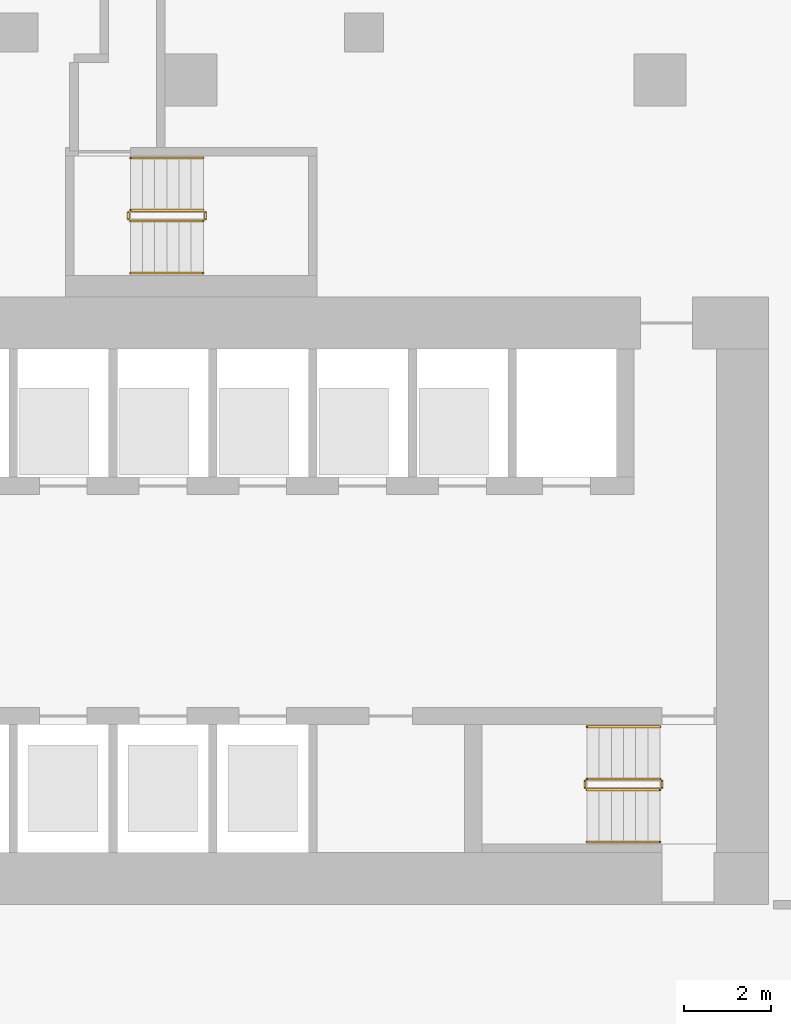
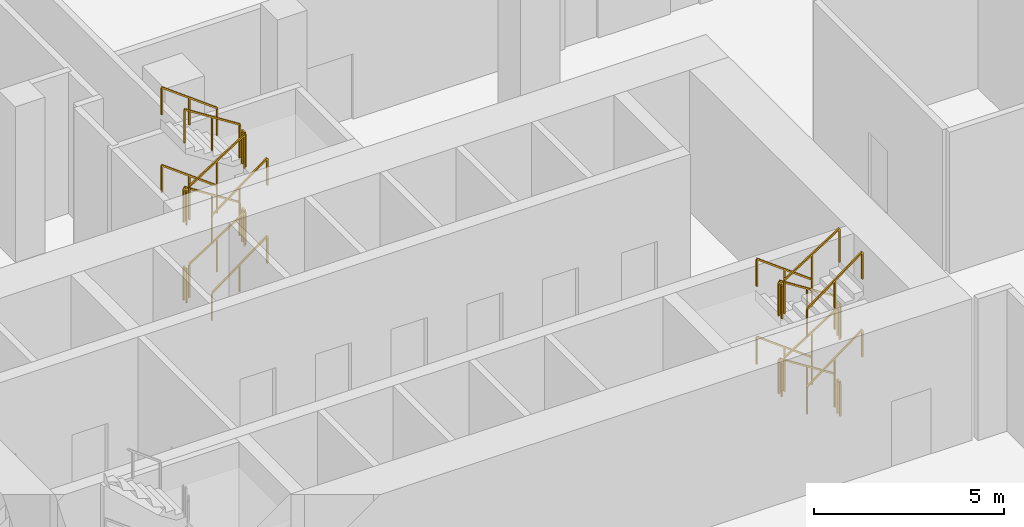
# One storey, part 51 of 57: 24 railings.
"""IFC4 building model written with IfcOpenShell, lengths in metres."""

import ifcopenshell
import ifcopenshell.guid

model = None  # the IFC model being written
_history = None  # IfcOwnerHistory: only IFC2X3 demands one
_inside = {}  # id of a spatial element -> (the spatial element, [elements in it])
_under = {}  # id of a project, library or spatial element -> (it, [spatial elements below it])
_declared = {}  # id of a project -> (the project, [libraries it declares])
_typed = {}  # id of a type object -> (the type object, [elements of that type])
_made_of = {}  # id of a material, layer set ... -> (it, [elements and type objects made of it])


def new_model(schema):
    """Start an empty IFC model of exactly this schema.

    Asked for "IFC4X3", IfcOpenShell would pick the latest addendum, in which some entities
    have other attributes; the version numbers below select the first issue.
    IFC2X3 requires an IfcOwnerHistory on every rooted entity: one is made here for all.
    """
    global model, _history
    if schema == "IFC4X3":
        model = ifcopenshell.file(schema_version=(4, 3, 0, 0))
    else:
        model = ifcopenshell.file(schema=schema)
    _inside.clear()
    _under.clear()
    _declared.clear()
    _typed.clear()
    _made_of.clear()
    _history = None
    if model.schema == "IFC2X3":
        org = make("IfcOrganization", Name="unknown")
        user = make(
            "IfcPersonAndOrganization",
            ThePerson=make("IfcPerson", FamilyName="unknown"),
            TheOrganization=org,
        )
        app = make(
            "IfcApplication",
            ApplicationDeveloper=org,
            Version="unknown",
            ApplicationFullName="unknown",
            ApplicationIdentifier="unknown",
        )
        _history = make(
            "IfcOwnerHistory",
            OwningUser=user,
            OwningApplication=app,
            ChangeAction="ADDED",
            CreationDate=0,
        )
    return model


def make(cls, **values):
    """One entity of the class cls with the attributes given. An attribute that is None is left unset."""
    return model.create_entity(
        cls, **{name: value for name, value in values.items() if value is not None}
    )


def rooted(cls, **values):
    """An entity with a GlobalId (a new one), such as an element, a storey or a relation."""
    return make(cls, GlobalId=ifcopenshell.guid.new(), OwnerHistory=_history, **values)


def si_unit(unit_type, name, prefix=None):
    """IfcSIUnit, for example si_unit("LENGTHUNIT", "METRE", prefix="MILLI")."""
    return make("IfcSIUnit", UnitType=unit_type, Prefix=prefix, Name=name)


def assignment(units):
    """IfcUnitAssignment: the units of a project."""
    return None if units is None else make("IfcUnitAssignment", Units=units)


def point(xyz):
    """IfcCartesianPoint."""
    return None if xyz is None else make("IfcCartesianPoint", Coordinates=xyz)


def direction(xyz):
    """IfcDirection."""
    return None if xyz is None else make("IfcDirection", DirectionRatios=xyz)


def frame(location, z_axis=None, x_axis=None):
    """IfcAxis2Placement3D, a coordinate frame: its origin and axes. An axis left out is left unset."""
    return make(
        "IfcAxis2Placement3D",
        Location=point(location),
        Axis=direction(z_axis),
        RefDirection=direction(x_axis),
    )


def frame_2d(location, x_axis=None):
    """IfcAxis2Placement2D, a coordinate frame in the plane: its origin and x axis."""
    return make(
        "IfcAxis2Placement2D", Location=point(location), RefDirection=direction(x_axis)
    )


def origin():
    """The frame at (0, 0, 0) with its axes left unset."""
    return frame((0.0, 0.0, 0.0))


def origin_2d():
    """The frame at (0, 0) in the plane with its x axis left unset."""
    return frame_2d((0.0, 0.0))


def place(relative_to, where):
    """IfcLocalPlacement: puts the frame where relative to a parent placement (None: the world)."""
    return make(
        "IfcLocalPlacement", PlacementRelTo=relative_to, RelativePlacement=where
    )


def context(
    kind, dimensions, precision=None, world=None, true_north=None, identifier=None
):
    """IfcGeometricRepresentationContext, for example the 3D "Model" context."""
    return make(
        "IfcGeometricRepresentationContext",
        ContextIdentifier=identifier,
        ContextType=kind,
        CoordinateSpaceDimension=dimensions,
        Precision=precision,
        WorldCoordinateSystem=world,
        TrueNorth=true_north,
    )


def subcontext(parent, identifier, kind, view, scale=None):
    """IfcGeometricRepresentationSubContext, for example "Body" below "Model"."""
    return make(
        "IfcGeometricRepresentationSubContext",
        ContextIdentifier=identifier,
        ContextType=kind,
        ParentContext=parent,
        TargetScale=scale,
        TargetView=view,
    )


def project(units=None, contexts=None):
    """IfcProject with its units and contexts."""
    return rooted(
        "IfcProject",
        Name="project",
        RepresentationContexts=contexts,
        UnitsInContext=assignment(units),
    )


def spatial(cls, under=None, at=None, **own):
    """A site, building, storey or space (cls), placed at a placement, below another one or the project."""
    s = rooted(cls, ObjectPlacement=at, **own)
    if under is not None:
        _under.setdefault(under.id(), (under, []))[1].append(s)
    return s


def profile(cls, at=None, kind="AREA", **sizes):
    """A parametric profile (cls). Its sizes go by their IFC names, for example OverallWidth=200.0."""
    return make(cls, ProfileType=kind, Position=at, **sizes)


def rectangle(**sizes):
    """IfcRectangleProfileDef."""
    return profile("IfcRectangleProfileDef", **sizes)


def extrude(swept, where, along, depth):
    """IfcExtrudedAreaSolid: the profile swept, set in the frame where, extruded along a direction by depth."""
    return make(
        "IfcExtrudedAreaSolid",
        SweptArea=swept,
        Position=where,
        ExtrudedDirection=direction(along),
        Depth=depth,
    )


def shape(context_of_items, identifier, shape_type, items):
    """IfcShapeRepresentation: the items that make up one representation, for example the "Body"."""
    return make(
        "IfcShapeRepresentation",
        ContextOfItems=context_of_items,
        RepresentationIdentifier=identifier,
        RepresentationType=shape_type,
        Items=items,
    )


def material(Name=None, Category=None):
    """IfcMaterial."""
    return make("IfcMaterial", Name=Name, Category=Category)


def made_of(thing, what):
    """Note that an element or type object is made of a material, layer set ...; save() writes the relation."""
    if what is not None:
        _made_of.setdefault(what.id(), (what, []))[1].append(thing)
    return thing


def type_object(cls, material=None, **own):
    """A type object (cls), such as IfcWallType, which elements share."""
    return made_of(rooted(cls, **own), material)


def element(
    cls,
    number,
    at=None,
    inside=None,
    cuts=None,
    type_object=None,
    material=None,
    context=None,
    identifier="Body",
    shape_type=None,
    held_by="IfcProductDefinitionShape",
    body=None,
    shapes=None,
    **own,
):
    """One element of the class cls, such as IfcWall. Its Tag is "e" and its number.

    at: its placement. inside: the storey or other place that contains it. cuts: it is an
    opening in that element (IfcRelVoidsElement). A single representation is given by context,
    identifier, shape_type and body (its items); several are given by shapes. held_by: the class
    of the entity that holds the representations. save() writes the other relations.
    """
    e = rooted(cls, Tag="e%d" % number, ObjectPlacement=at, **own)
    if body is not None:
        shapes = [shape(context, identifier, shape_type, body)]
    if shapes is not None:
        e.Representation = make(held_by, Representations=shapes)
    if inside is not None:
        _inside.setdefault(inside.id(), (inside, []))[1].append(e)
    if cuts is not None:
        rooted(
            "IfcRelVoidsElement", RelatingBuildingElement=cuts, RelatedOpeningElement=e
        )
    if type_object is not None:
        _typed.setdefault(type_object.id(), (type_object, []))[1].append(e)
    return made_of(e, material)


def aggregate(whole, parts):
    """IfcRelAggregates: a whole, such as a stair, and the parts it consists of."""
    return rooted("IfcRelAggregates", RelatingObject=whole, RelatedObjects=parts)


def save(model, path):
    """Write the relations noted so far, then the file.

    IfcRelAggregates (storeys below a building ...), IfcRelContainedInSpatialStructure (elements
    in a storey), IfcRelDefinesByType, IfcRelAssociatesMaterial and IfcRelDeclares: one each for
    every whole, place, type object, material and project.
    """
    for whole, parts in _under.values():
        aggregate(whole, parts)
    for where, things in _inside.values():
        rooted(
            "IfcRelContainedInSpatialStructure",
            RelatedElements=things,
            RelatingStructure=where,
        )
    for kind, things in _typed.values():
        rooted("IfcRelDefinesByType", RelatedObjects=things, RelatingType=kind)
    for what, things in _made_of.values():
        rooted("IfcRelAssociatesMaterial", RelatedObjects=things, RelatingMaterial=what)
    for by, libraries in _declared.values():
        rooted("IfcRelDeclares", RelatingContext=by, RelatedDefinitions=libraries)
    model.write(path)


model = new_model("IFC4")

# Units and contexts
model_context = context("Model", 3, precision=1e-05, world=origin(), true_north=direction((0.0, 1.0)))
body_context = subcontext(model_context, "Body", "Model", "MODEL_VIEW")
ifc_project = project(units=[si_unit("LENGTHUNIT", "METRE"), si_unit("AREAUNIT", "SQUARE_METRE"), si_unit("VOLUMEUNIT", "CUBIC_METRE"), si_unit("PLANEANGLEUNIT", "RADIAN"), si_unit("MASSUNIT", "GRAM", prefix="KILO")], contexts=[model_context])

# Site, building, storey
site_placement = place(None, origin())
site = spatial("IfcSite", under=ifc_project, at=site_placement, CompositionType="ELEMENT")
building_placement = place(site_placement, origin())
building = spatial("IfcBuilding", under=site, at=building_placement, Name="Beryl Residences", CompositionType="ELEMENT")
storey_placement = place(building_placement, origin())
storey = spatial("IfcBuildingStorey", under=building, at=storey_placement, Name="L00", CompositionType="ELEMENT", Elevation=0.0)

# Railings
ifc_material_1 = material(Name="Stainless steel balustrade with glass infill", Category="steel")
railing_type_1 = type_object("IfcRailingType", Name="SG1 stair guard 1100 mm", PredefinedType="GUARDRAIL", material=ifc_material_1)
railing_1_placement = place(storey_placement, frame((10.800048828125, -16.10009765625, 0.178466796875)))
element("IfcRailing", 1, at=railing_1_placement, inside=storey, type_object=railing_type_1, Name="L00 ST-3 stair guard 1", PredefinedType="GUARDRAIL", context=body_context, shape_type="SweptSolid", body=[
    extrude(rectangle(XDim=0.048095703125, YDim=0.048095703125, at=origin_2d()), frame((0.0, 0.0, 1.076171875), z_axis=(-0.843095963019, 0.0, 0.537763142231), x_axis=(0.0, -1.0, 0.0)), (0.0, 0.0, 1.0), 1.99267578125),
    extrude(rectangle(XDim=0.0419921875, YDim=0.0419921875, at=origin_2d()), origin(), (0.0, 0.0, 1.0), 1.052001953125),
    extrude(rectangle(XDim=0.0419921875, YDim=0.0419921875, at=origin_2d()), frame((-0.83984375, 0.0, 0.53564453125)), (0.0, 0.0, 1.0), 1.052001953125),
    extrude(rectangle(XDim=0.0419921875, YDim=0.0419921875, at=origin_2d()), frame((-1.679931640625, 0.0, 1.071533203125)), (0.0, 0.0, 1.0), 1.052001953125),
])
railing_2_placement = place(storey_placement, frame((9.070068359375, -16.14990234375, 1.25)))
element("IfcRailing", 2, at=railing_2_placement, inside=storey, type_object=railing_type_1, Name="L00 ST-3 stair guard 2", PredefinedType="GUARDRAIL", context=body_context, shape_type="SweptSolid", body=[
    extrude(rectangle(XDim=0.048095703125, YDim=0.048095703125, at=origin_2d()), frame((0.0, 0.0, 1.076171875), z_axis=(0.0, -1.0, 0.0), x_axis=(1.0, 0.0, 0.0)), (0.0, 0.0, 1.0), 0.150146484375),
    extrude(rectangle(XDim=0.0419921875, YDim=0.0419921875, at=origin_2d()), origin(), (0.0, 0.0, 1.0), 1.052001953125),
    extrude(rectangle(XDim=0.0419921875, YDim=0.0419921875, at=origin_2d()), frame((0.0, -0.150146484375, 0.0)), (0.0, 0.0, 1.0), 1.052001953125),
])
railing_3_placement = place(storey_placement, frame((9.1201171875, -16.35009765625, 1.428466796875)))
element("IfcRailing", 3, at=railing_3_placement, inside=storey, type_object=railing_type_1, Name="L00 ST-3 stair guard 3", PredefinedType="GUARDRAIL", context=body_context, shape_type="SweptSolid", body=[
    extrude(rectangle(XDim=0.048095703125, YDim=0.048095703125, at=origin_2d()), frame((0.0, 0.0, 1.076171875), z_axis=(0.843095963019, 0.0, 0.537763142231), x_axis=(0.0, 1.0, 0.0)), (0.0, 0.0, 1.0), 1.99267578125),
    extrude(rectangle(XDim=0.0419921875, YDim=0.0419921875, at=origin_2d()), origin(), (0.0, 0.0, 1.0), 1.052001953125),
    extrude(rectangle(XDim=0.0419921875, YDim=0.0419921875, at=origin_2d()), frame((0.83984375, 0.0, 0.53564453125)), (0.0, 0.0, 1.0), 1.052001953125),
    extrude(rectangle(XDim=0.0419921875, YDim=0.0419921875, at=origin_2d()), frame((1.679931640625, 0.0, 1.071533203125)), (0.0, 0.0, 1.0), 1.052001953125),
])
railing_4_placement = place(storey_placement, frame((10.85009765625, -16.14990234375, 2.5)))
element("IfcRailing", 4, at=railing_4_placement, inside=storey, type_object=railing_type_1, Name="L00 ST-3 stair guard 4", PredefinedType="GUARDRAIL", context=body_context, shape_type="SweptSolid", body=[
    extrude(rectangle(XDim=0.048095703125, YDim=0.048095703125, at=origin_2d()), frame((0.0, 0.0, 1.076171875), z_axis=(0.0, -1.0, 0.0), x_axis=(1.0, 0.0, 0.0)), (0.0, 0.0, 1.0), 0.150146484375),
    extrude(rectangle(XDim=0.0419921875, YDim=0.0419921875, at=origin_2d()), origin(), (0.0, 0.0, 1.0), 1.052001953125),
    extrude(rectangle(XDim=0.0419921875, YDim=0.0419921875, at=origin_2d()), frame((0.0, -0.150146484375, 0.0)), (0.0, 0.0, 1.0), 1.052001953125),
])
railing_5_placement = place(storey_placement, frame((10.800048828125, -16.10009765625, 2.678466796875)))
element("IfcRailing", 5, at=railing_5_placement, inside=storey, type_object=railing_type_1, Name="L00 ST-3 stair guard 5", PredefinedType="GUARDRAIL", context=body_context, shape_type="SweptSolid", body=[
    extrude(rectangle(XDim=0.048095703125, YDim=0.048095703125, at=origin_2d()), frame((0.0, 0.0, 1.076171875), z_axis=(-0.843095963019, 0.0, 0.537763142231), x_axis=(0.0, -1.0, 0.0)), (0.0, 0.0, 1.0), 1.99267578125),
    extrude(rectangle(XDim=0.0419921875, YDim=0.0419921875, at=origin_2d()), origin(), (0.0, 0.0, 1.0), 1.052001953125),
    extrude(rectangle(XDim=0.0419921875, YDim=0.0419921875, at=origin_2d()), frame((-0.83984375, 0.0, 0.53564453125)), (0.0, 0.0, 1.0), 1.052001953125),
    extrude(rectangle(XDim=0.0419921875, YDim=0.0419921875, at=origin_2d()), frame((-1.679931640625, 0.0, 1.071533203125)), (0.0, 0.0, 1.0), 1.052001953125),
])
railing_6_placement = place(storey_placement, frame((9.070068359375, -16.14990234375, 3.75)))
element("IfcRailing", 6, at=railing_6_placement, inside=storey, type_object=railing_type_1, Name="L00 ST-3 stair guard 6", PredefinedType="GUARDRAIL", context=body_context, shape_type="SweptSolid", body=[
    extrude(rectangle(XDim=0.048095703125, YDim=0.048095703125, at=origin_2d()), frame((0.0, 0.0, 1.076171875), z_axis=(0.0, -1.0, 0.0), x_axis=(1.0, 0.0, 0.0)), (0.0, 0.0, 1.0), 0.150146484375),
    extrude(rectangle(XDim=0.0419921875, YDim=0.0419921875, at=origin_2d()), origin(), (0.0, 0.0, 1.0), 1.052001953125),
    extrude(rectangle(XDim=0.0419921875, YDim=0.0419921875, at=origin_2d()), frame((0.0, -0.150146484375, 0.0)), (0.0, 0.0, 1.0), 1.052001953125),
])
railing_7_placement = place(storey_placement, frame((9.1201171875, -16.35009765625, 3.928466796875)))
element("IfcRailing", 7, at=railing_7_placement, inside=storey, type_object=railing_type_1, Name="L00 ST-3 stair guard 7", PredefinedType="GUARDRAIL", context=body_context, shape_type="SweptSolid", body=[
    extrude(rectangle(XDim=0.048095703125, YDim=0.048095703125, at=origin_2d()), frame((0.0, 0.0, 1.076171875), z_axis=(0.843095963019, 0.0, 0.537763142231), x_axis=(0.0, 1.0, 0.0)), (0.0, 0.0, 1.0), 1.99267578125),
    extrude(rectangle(XDim=0.0419921875, YDim=0.0419921875, at=origin_2d()), origin(), (0.0, 0.0, 1.0), 1.052001953125),
    extrude(rectangle(XDim=0.0419921875, YDim=0.0419921875, at=origin_2d()), frame((0.83984375, 0.0, 0.53564453125)), (0.0, 0.0, 1.0), 1.052001953125),
    extrude(rectangle(XDim=0.0419921875, YDim=0.0419921875, at=origin_2d()), frame((1.679931640625, 0.0, 1.071533203125)), (0.0, 0.0, 1.0), 1.052001953125),
])
railing_8_placement = place(storey_placement, frame((10.85009765625, -16.14990234375, 0.0)))
element("IfcRailing", 8, at=railing_8_placement, inside=storey, type_object=railing_type_1, Name="L00 ST-3 stair guard 8", PredefinedType="GUARDRAIL", context=body_context, shape_type="SweptSolid", body=[
    extrude(rectangle(XDim=0.048095703125, YDim=0.048095703125, at=origin_2d()), frame((0.0, 0.0, 1.076171875), z_axis=(0.0, -1.0, 0.0), x_axis=(1.0, 0.0, 0.0)), (0.0, 0.0, 1.0), 0.150146484375),
    extrude(rectangle(XDim=0.0419921875, YDim=0.0419921875, at=origin_2d()), origin(), (0.0, 0.0, 1.0), 1.052001953125),
    extrude(rectangle(XDim=0.0419921875, YDim=0.0419921875, at=origin_2d()), frame((0.0, -0.150146484375, 0.0)), (0.0, 0.0, 1.0), 1.052001953125),
])
railing_9_placement = place(storey_placement, frame((-1.39990234375, -3.25, 0.178466796875)))
element("IfcRailing", 9, at=railing_9_placement, inside=storey, type_object=railing_type_1, Name="L00 ST-4 stair guard 1", PredefinedType="GUARDRAIL", context=body_context, shape_type="SweptSolid", body=[
    extrude(rectangle(XDim=0.048095703125, YDim=0.048095703125, at=origin_2d()), frame((0.0, 0.0, 1.076171875), z_axis=(0.843095963019, 0.0, 0.537763142231), x_axis=(0.0, 1.0, 0.0)), (0.0, 0.0, 1.0), 1.99267578125),
    extrude(rectangle(XDim=0.0419921875, YDim=0.0419921875, at=origin_2d()), origin(), (0.0, 0.0, 1.0), 1.052001953125),
    extrude(rectangle(XDim=0.0419921875, YDim=0.0419921875, at=origin_2d()), frame((0.83984375, 0.0, 0.53564453125)), (0.0, 0.0, 1.0), 1.052001953125),
    extrude(rectangle(XDim=0.0419921875, YDim=0.0419921875, at=origin_2d()), frame((1.679931640625, 0.0, 1.071533203125)), (0.0, 0.0, 1.0), 1.052001953125),
])
railing_10_placement = place(storey_placement, frame((0.330078125, -3.199951171875, 1.25)))
element("IfcRailing", 10, at=railing_10_placement, inside=storey, type_object=railing_type_1, Name="L00 ST-4 stair guard 2", PredefinedType="GUARDRAIL", context=body_context, shape_type="SweptSolid", body=[
    extrude(rectangle(XDim=0.048095703125, YDim=0.048095703125, at=origin_2d()), frame((0.0, 0.0, 1.076171875), z_axis=(0.0, 1.0, 0.0), x_axis=(-1.0, 0.0, 0.0)), (0.0, 0.0, 1.0), 0.14990234375),
    extrude(rectangle(XDim=0.0419921875, YDim=0.0419921875, at=origin_2d()), origin(), (0.0, 0.0, 1.0), 1.052001953125),
    extrude(rectangle(XDim=0.0419921875, YDim=0.0419921875, at=origin_2d()), frame((0.0, 0.14990234375, 0.0)), (0.0, 0.0, 1.0), 1.052001953125),
])
railing_11_placement = place(storey_placement, frame((0.280029296875, -3.0, 1.428466796875)))
element("IfcRailing", 11, at=railing_11_placement, inside=storey, type_object=railing_type_1, Name="L00 ST-4 stair guard 3", PredefinedType="GUARDRAIL", context=body_context, shape_type="SweptSolid", body=[
    extrude(rectangle(XDim=0.048095703125, YDim=0.048095703125, at=origin_2d()), frame((0.0, 0.0, 1.076171875), z_axis=(-0.843095963019, 0.0, 0.537763142231), x_axis=(0.0, -1.0, 0.0)), (0.0, 0.0, 1.0), 1.99267578125),
    extrude(rectangle(XDim=0.0419921875, YDim=0.0419921875, at=origin_2d()), origin(), (0.0, 0.0, 1.0), 1.052001953125),
    extrude(rectangle(XDim=0.0419921875, YDim=0.0419921875, at=origin_2d()), frame((-0.83984375, 0.0, 0.53564453125)), (0.0, 0.0, 1.0), 1.052001953125),
    extrude(rectangle(XDim=0.0419921875, YDim=0.0419921875, at=origin_2d()), frame((-1.679931640625, 0.0, 1.071533203125)), (0.0, 0.0, 1.0), 1.052001953125),
])
railing_12_placement = place(storey_placement, frame((-1.449951171875, -3.199951171875, 2.5)))
element("IfcRailing", 12, at=railing_12_placement, inside=storey, type_object=railing_type_1, Name="L00 ST-4 stair guard 4", PredefinedType="GUARDRAIL", context=body_context, shape_type="SweptSolid", body=[
    extrude(rectangle(XDim=0.048095703125, YDim=0.048095703125, at=origin_2d()), frame((0.0, 0.0, 1.076171875), z_axis=(0.0, 1.0, 0.0), x_axis=(-1.0, 0.0, 0.0)), (0.0, 0.0, 1.0), 0.14990234375),
    extrude(rectangle(XDim=0.0419921875, YDim=0.0419921875, at=origin_2d()), origin(), (0.0, 0.0, 1.0), 1.052001953125),
    extrude(rectangle(XDim=0.0419921875, YDim=0.0419921875, at=origin_2d()), frame((0.0, 0.14990234375, 0.0)), (0.0, 0.0, 1.0), 1.052001953125),
])
railing_13_placement = place(storey_placement, frame((-1.39990234375, -3.25, 2.678466796875)))
element("IfcRailing", 13, at=railing_13_placement, inside=storey, type_object=railing_type_1, Name="L00 ST-4 stair guard 5", PredefinedType="GUARDRAIL", context=body_context, shape_type="SweptSolid", body=[
    extrude(rectangle(XDim=0.048095703125, YDim=0.048095703125, at=origin_2d()), frame((0.0, 0.0, 1.076171875), z_axis=(0.843095963019, 0.0, 0.537763142231), x_axis=(0.0, 1.0, 0.0)), (0.0, 0.0, 1.0), 1.99267578125),
    extrude(rectangle(XDim=0.0419921875, YDim=0.0419921875, at=origin_2d()), origin(), (0.0, 0.0, 1.0), 1.052001953125),
    extrude(rectangle(XDim=0.0419921875, YDim=0.0419921875, at=origin_2d()), frame((0.83984375, 0.0, 0.53564453125)), (0.0, 0.0, 1.0), 1.052001953125),
    extrude(rectangle(XDim=0.0419921875, YDim=0.0419921875, at=origin_2d()), frame((1.679931640625, 0.0, 1.071533203125)), (0.0, 0.0, 1.0), 1.052001953125),
])
railing_14_placement = place(storey_placement, frame((0.330078125, -3.199951171875, 3.75)))
element("IfcRailing", 14, at=railing_14_placement, inside=storey, type_object=railing_type_1, Name="L00 ST-4 stair guard 6", PredefinedType="GUARDRAIL", context=body_context, shape_type="SweptSolid", body=[
    extrude(rectangle(XDim=0.048095703125, YDim=0.048095703125, at=origin_2d()), frame((0.0, 0.0, 1.076171875), z_axis=(0.0, 1.0, 0.0), x_axis=(-1.0, 0.0, 0.0)), (0.0, 0.0, 1.0), 0.14990234375),
    extrude(rectangle(XDim=0.0419921875, YDim=0.0419921875, at=origin_2d()), origin(), (0.0, 0.0, 1.0), 1.052001953125),
    extrude(rectangle(XDim=0.0419921875, YDim=0.0419921875, at=origin_2d()), frame((0.0, 0.14990234375, 0.0)), (0.0, 0.0, 1.0), 1.052001953125),
])
railing_15_placement = place(storey_placement, frame((0.280029296875, -3.0, 3.928466796875)))
element("IfcRailing", 15, at=railing_15_placement, inside=storey, type_object=railing_type_1, Name="L00 ST-4 stair guard 7", PredefinedType="GUARDRAIL", context=body_context, shape_type="SweptSolid", body=[
    extrude(rectangle(XDim=0.048095703125, YDim=0.048095703125, at=origin_2d()), frame((0.0, 0.0, 1.076171875), z_axis=(-0.843095963019, 0.0, 0.537763142231), x_axis=(0.0, -1.0, 0.0)), (0.0, 0.0, 1.0), 1.99267578125),
    extrude(rectangle(XDim=0.0419921875, YDim=0.0419921875, at=origin_2d()), origin(), (0.0, 0.0, 1.0), 1.052001953125),
    extrude(rectangle(XDim=0.0419921875, YDim=0.0419921875, at=origin_2d()), frame((-0.83984375, 0.0, 0.53564453125)), (0.0, 0.0, 1.0), 1.052001953125),
    extrude(rectangle(XDim=0.0419921875, YDim=0.0419921875, at=origin_2d()), frame((-1.679931640625, 0.0, 1.071533203125)), (0.0, 0.0, 1.0), 1.052001953125),
])
railing_16_placement = place(storey_placement, frame((-1.449951171875, -3.199951171875, 0.0)))
element("IfcRailing", 16, at=railing_16_placement, inside=storey, type_object=railing_type_1, Name="L00 ST-4 stair guard 8", PredefinedType="GUARDRAIL", context=body_context, shape_type="SweptSolid", body=[
    extrude(rectangle(XDim=0.048095703125, YDim=0.048095703125, at=origin_2d()), frame((0.0, 0.0, 1.076171875), z_axis=(0.0, 1.0, 0.0), x_axis=(-1.0, 0.0, 0.0)), (0.0, 0.0, 1.0), 0.14990234375),
    extrude(rectangle(XDim=0.0419921875, YDim=0.0419921875, at=origin_2d()), origin(), (0.0, 0.0, 1.0), 1.052001953125),
    extrude(rectangle(XDim=0.0419921875, YDim=0.0419921875, at=origin_2d()), frame((0.0, 0.14990234375, 0.0)), (0.0, 0.0, 1.0), 1.052001953125),
])
ifc_material_2 = material(Name="Stainless steel handrail", Category="steel")
railing_type_2 = type_object("IfcRailingType", Name="SRL1 stair handrail 900 mm", PredefinedType="HANDRAIL", material=ifc_material_2)
railing_17_placement = place(storey_placement, frame((10.800048828125, -14.89990234375, 0.178466796875)))
element("IfcRailing", 17, at=railing_17_placement, inside=storey, type_object=railing_type_2, Name="L00 ST-3 stair handrail 1", PredefinedType="HANDRAIL", context=body_context, shape_type="SweptSolid", body=[
    extrude(rectangle(XDim=0.048095703125, YDim=0.048095703125, at=origin_2d()), frame((0.0, 0.0, 0.8759765625), z_axis=(-0.802274775538, 0.0, 0.59695492672), x_axis=(0.0, -1.0, 0.0)), (0.0, 0.0, 1.0), 2.093994140625),
    extrude(rectangle(XDim=0.0419921875, YDim=0.0419921875, at=origin_2d()), origin(), (0.0, 0.0, 1.0), 0.851806640625),
    extrude(rectangle(XDim=0.0419921875, YDim=0.0419921875, at=origin_2d()), frame((-0.83984375, 0.0, 0.625)), (0.0, 0.0, 1.0), 0.851806640625),
    extrude(rectangle(XDim=0.0419921875, YDim=0.0419921875, at=origin_2d()), frame((-1.679931640625, 0.0, 1.25)), (0.0, 0.0, 1.0), 0.851806640625),
])
railing_18_placement = place(storey_placement, frame((9.1201171875, -17.550048828125, 1.428466796875)))
element("IfcRailing", 18, at=railing_18_placement, inside=storey, type_object=railing_type_2, Name="L00 ST-3 stair handrail 2", PredefinedType="HANDRAIL", context=body_context, shape_type="SweptSolid", body=[
    extrude(rectangle(XDim=0.048095703125, YDim=0.048095703125, at=origin_2d()), frame((0.0, 0.0, 0.8759765625), z_axis=(0.802274775538, 0.0, 0.59695492672), x_axis=(0.0, 1.0, 0.0)), (0.0, 0.0, 1.0), 2.093994140625),
    extrude(rectangle(XDim=0.0419921875, YDim=0.0419921875, at=origin_2d()), origin(), (0.0, 0.0, 1.0), 0.851806640625),
    extrude(rectangle(XDim=0.0419921875, YDim=0.0419921875, at=origin_2d()), frame((0.83984375, 0.0, 0.625)), (0.0, 0.0, 1.0), 0.851806640625),
    extrude(rectangle(XDim=0.0419921875, YDim=0.0419921875, at=origin_2d()), frame((1.679931640625, 0.0, 1.25)), (0.0, 0.0, 1.0), 0.851806640625),
])
railing_19_placement = place(storey_placement, frame((10.800048828125, -14.89990234375, 2.678466796875)))
element("IfcRailing", 19, at=railing_19_placement, inside=storey, type_object=railing_type_2, Name="L00 ST-3 stair handrail 3", PredefinedType="HANDRAIL", context=body_context, shape_type="SweptSolid", body=[
    extrude(rectangle(XDim=0.048095703125, YDim=0.048095703125, at=origin_2d()), frame((0.0, 0.0, 0.8759765625), z_axis=(-0.802274775538, 0.0, 0.59695492672), x_axis=(0.0, -1.0, 0.0)), (0.0, 0.0, 1.0), 2.093994140625),
    extrude(rectangle(XDim=0.0419921875, YDim=0.0419921875, at=origin_2d()), origin(), (0.0, 0.0, 1.0), 0.851806640625),
    extrude(rectangle(XDim=0.0419921875, YDim=0.0419921875, at=origin_2d()), frame((-0.83984375, 0.0, 0.625)), (0.0, 0.0, 1.0), 0.851806640625),
    extrude(rectangle(XDim=0.0419921875, YDim=0.0419921875, at=origin_2d()), frame((-1.679931640625, 0.0, 1.25)), (0.0, 0.0, 1.0), 0.851806640625),
])
for number, where, name in (
    (20, (9.1201171875, -17.550048828125, 3.928466796875), "L00 ST-3 stair handrail 4"),
    (21, (-1.39990234375, -4.449951171875, 0.178466796875), "L00 ST-4 stair handrail 1"),
):
    element("IfcRailing", number, at=place(storey_placement, frame(where)), inside=storey, type_object=railing_type_2, Name=name, PredefinedType="HANDRAIL", context=body_context, shape_type="SweptSolid", body=[
        extrude(rectangle(XDim=0.048095703125, YDim=0.048095703125, at=origin_2d()), frame((0.0, 0.0, 0.8759765625), z_axis=(0.802274775538, 0.0, 0.59695492672), x_axis=(0.0, 1.0, 0.0)), (0.0, 0.0, 1.0), 2.093994140625),
        extrude(rectangle(XDim=0.0419921875, YDim=0.0419921875, at=origin_2d()), origin(), (0.0, 0.0, 1.0), 0.851806640625),
        extrude(rectangle(XDim=0.0419921875, YDim=0.0419921875, at=origin_2d()), frame((0.83984375, 0.0, 0.625)), (0.0, 0.0, 1.0), 0.851806640625),
        extrude(rectangle(XDim=0.0419921875, YDim=0.0419921875, at=origin_2d()), frame((1.679931640625, 0.0, 1.25)), (0.0, 0.0, 1.0), 0.851806640625),
    ])
railing_20_placement = place(storey_placement, frame((0.280029296875, -1.800048828125, 1.428466796875)))
element("IfcRailing", 22, at=railing_20_placement, inside=storey, type_object=railing_type_2, Name="L00 ST-4 stair handrail 2", PredefinedType="HANDRAIL", context=body_context, shape_type="SweptSolid", body=[
    extrude(rectangle(XDim=0.048095703125, YDim=0.048095703125, at=origin_2d()), frame((0.0, 0.0, 0.8759765625), z_axis=(-0.802274775538, 0.0, 0.59695492672), x_axis=(0.0, -1.0, 0.0)), (0.0, 0.0, 1.0), 2.093994140625),
    extrude(rectangle(XDim=0.0419921875, YDim=0.0419921875, at=origin_2d()), origin(), (0.0, 0.0, 1.0), 0.851806640625),
    extrude(rectangle(XDim=0.0419921875, YDim=0.0419921875, at=origin_2d()), frame((-0.83984375, 0.0, 0.625)), (0.0, 0.0, 1.0), 0.851806640625),
    extrude(rectangle(XDim=0.0419921875, YDim=0.0419921875, at=origin_2d()), frame((-1.679931640625, 0.0, 1.25)), (0.0, 0.0, 1.0), 0.851806640625),
])
railing_21_placement = place(storey_placement, frame((-1.39990234375, -4.449951171875, 2.678466796875)))
element("IfcRailing", 23, at=railing_21_placement, inside=storey, type_object=railing_type_2, Name="L00 ST-4 stair handrail 3", PredefinedType="HANDRAIL", context=body_context, shape_type="SweptSolid", body=[
    extrude(rectangle(XDim=0.048095703125, YDim=0.048095703125, at=origin_2d()), frame((0.0, 0.0, 0.8759765625), z_axis=(0.802274775538, 0.0, 0.59695492672), x_axis=(0.0, 1.0, 0.0)), (0.0, 0.0, 1.0), 2.093994140625),
    extrude(rectangle(XDim=0.0419921875, YDim=0.0419921875, at=origin_2d()), origin(), (0.0, 0.0, 1.0), 0.851806640625),
    extrude(rectangle(XDim=0.0419921875, YDim=0.0419921875, at=origin_2d()), frame((0.83984375, 0.0, 0.625)), (0.0, 0.0, 1.0), 0.851806640625),
    extrude(rectangle(XDim=0.0419921875, YDim=0.0419921875, at=origin_2d()), frame((1.679931640625, 0.0, 1.25)), (0.0, 0.0, 1.0), 0.851806640625),
])
railing_22_placement = place(storey_placement, frame((0.280029296875, -1.800048828125, 3.928466796875)))
element("IfcRailing", 24, at=railing_22_placement, inside=storey, type_object=railing_type_2, Name="L00 ST-4 stair handrail 4", PredefinedType="HANDRAIL", context=body_context, shape_type="SweptSolid", body=[
    extrude(rectangle(XDim=0.048095703125, YDim=0.048095703125, at=origin_2d()), frame((0.0, 0.0, 0.8759765625), z_axis=(-0.802274775538, 0.0, 0.59695492672), x_axis=(0.0, -1.0, 0.0)), (0.0, 0.0, 1.0), 2.093994140625),
    extrude(rectangle(XDim=0.0419921875, YDim=0.0419921875, at=origin_2d()), origin(), (0.0, 0.0, 1.0), 0.851806640625),
    extrude(rectangle(XDim=0.0419921875, YDim=0.0419921875, at=origin_2d()), frame((-0.83984375, 0.0, 0.625)), (0.0, 0.0, 1.0), 0.851806640625),
    extrude(rectangle(XDim=0.0419921875, YDim=0.0419921875, at=origin_2d()), frame((-1.679931640625, 0.0, 1.25)), (0.0, 0.0, 1.0), 0.851806640625),
])

save(model, "model.ifc")
